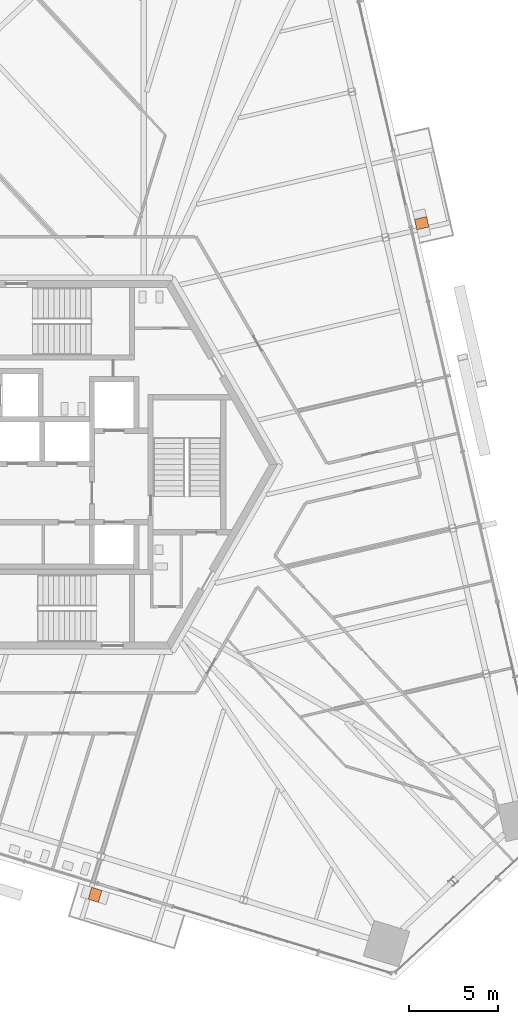
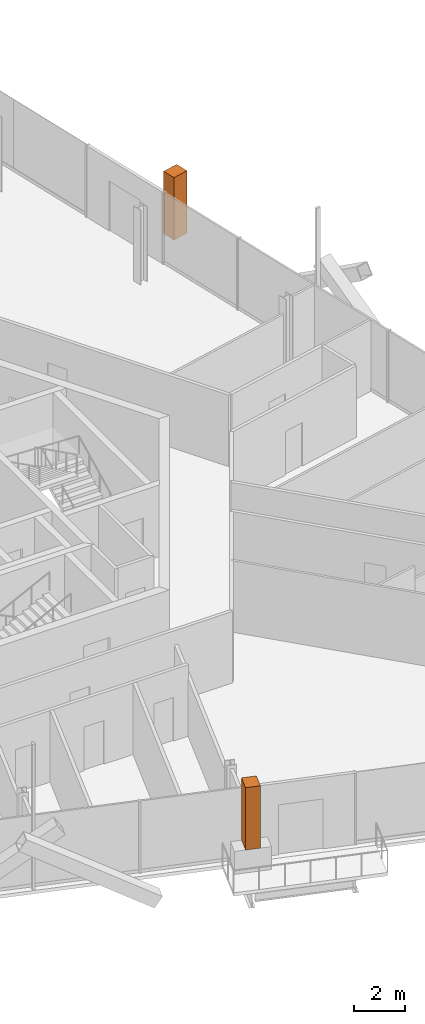
# One storey, part 24 of 24: 2 geographic elements.
"""IFC4 building model written with IfcOpenShell, lengths in metres."""

from ifc_helpers import new_model, si_unit, direction, frame, origin, origin_2d, place, context, subcontext, project, spatial, rectangle, extrude, source, transform, mapped, material, type_object, element, save


model = new_model("IFC4")

# Units and contexts
model_context = context("Model", 3, precision=1e-05, world=origin(), true_north=direction((0.0, 1.0)))
body_context = subcontext(model_context, "Body", "Model", "MODEL_VIEW")
ifc_project = project(units=[si_unit("LENGTHUNIT", "METRE"), si_unit("AREAUNIT", "SQUARE_METRE"), si_unit("VOLUMEUNIT", "CUBIC_METRE"), si_unit("PLANEANGLEUNIT", "RADIAN"), si_unit("MASSUNIT", "GRAM", prefix="KILO")], contexts=[model_context])

# Site, building, storey
site_placement = place(None, origin())
site = spatial("IfcSite", under=ifc_project, at=site_placement, CompositionType="ELEMENT")
building_placement = place(site_placement, origin())
building = spatial("IfcBuilding", under=site, at=building_placement, Name="Triune Harvest Tower", CompositionType="ELEMENT")
storey_placement = place(building_placement, frame((0.0, 0.0, 112.699951171875)))
storey = spatial("IfcBuildingStorey", under=building, at=storey_placement, Name="L28", CompositionType="ELEMENT", Elevation=112.699951171875)

# Geographic elements
ifc_material = material(Name="TREE-1 tree")
geographic_element_type = type_object("IfcGeographicElementType", Name="TREE-1 tree", PredefinedType="USERDEFINED", material=ifc_material)
shared_shape = source(origin(), body_context, "Body", "SweptSolid", [
    extrude(rectangle(XDim=0.60009765625, YDim=0.699951171875, at=origin_2d()), origin(), (0.0, 0.0, 1.0), 3.0),
])
for number, where, z_axis, x_axis, name in (
    (1, (20.12841796875, 13.610107421875, 1.10009765625), (0.0, 0.0, 1.0), (-0.22495121687, 0.974370027263, 0.0), "Tree B3-F1 L28.9a"),
    (2, (1.722412109375, -24.23681640625, 1.10009765625), (0.0, 0.0, 1.0), (0.956304229664, -0.292373426164, 0.0), "Tree B3-F5 L28.9a"),
):
    element("IfcGeographicElement", number, at=place(storey_placement, frame(where, z_axis=z_axis, x_axis=x_axis)), inside=storey, type_object=geographic_element_type, Name=name, ObjectType="TREE", PredefinedType="USERDEFINED", context=body_context, shape_type="MappedRepresentation", body=[
        mapped(shared_shape, transform((0.0, 0.0, 0.0), scale=1.0)),
    ])

save(model, "model.ifc")
